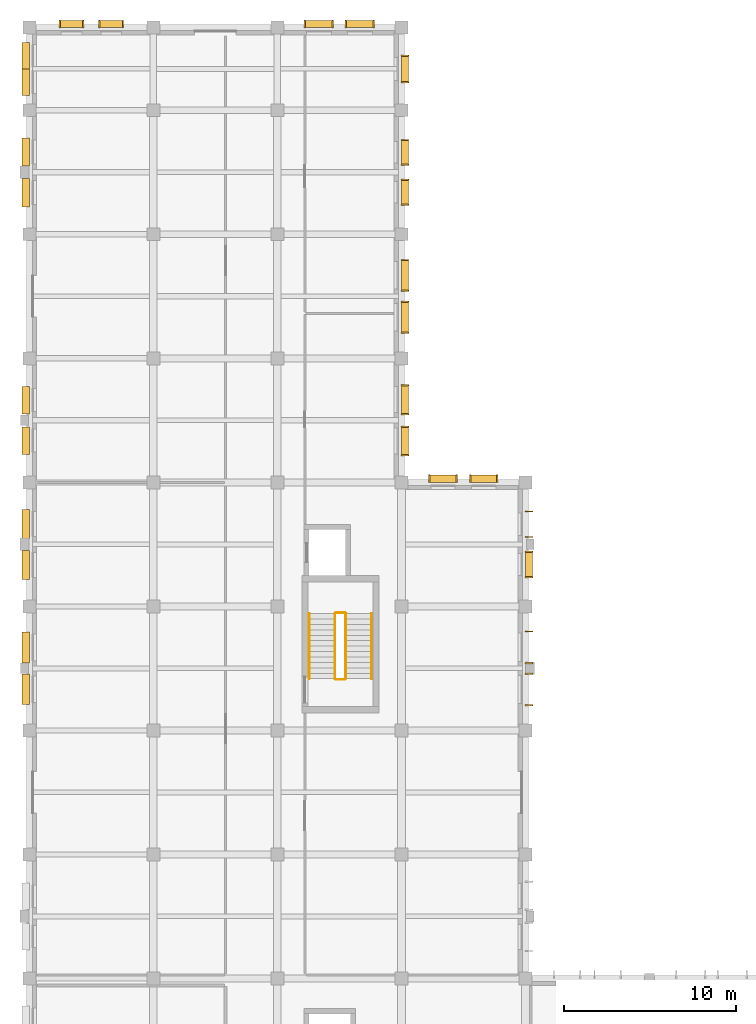
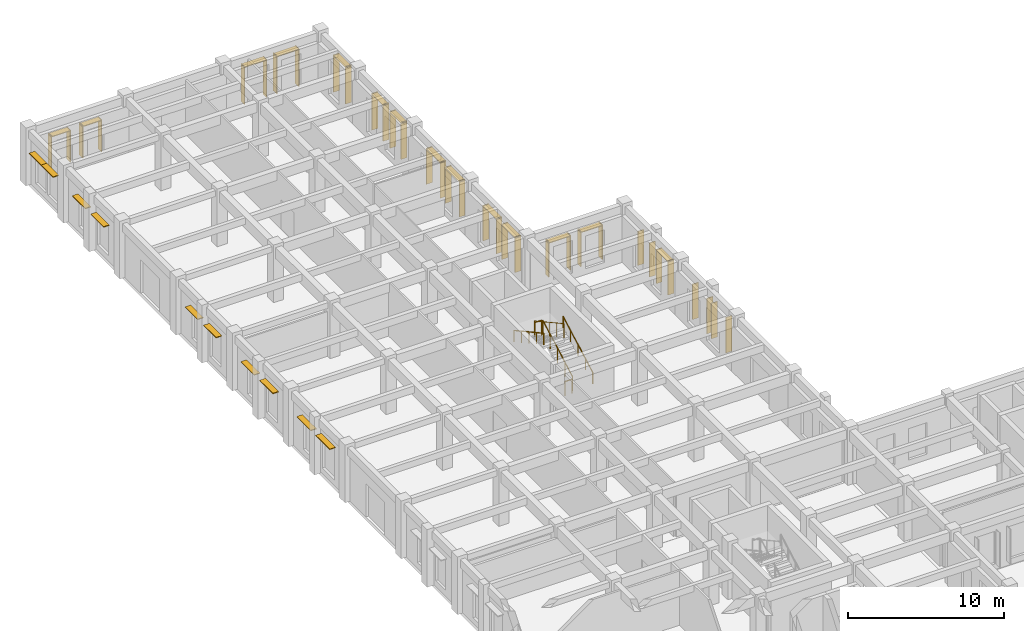
# One storey, part 42 of 43: 34 coverings, 24 shading devices, 6 railings.
"""IFC4 building model written with IfcOpenShell, lengths in metres."""

from ifc_helpers import new_model, si_unit, direction, frame, origin, origin_2d, place, context, subcontext, project, spatial, polyline, rectangle, circle, outline, extrude, material, layer, layer_set, type_object, element, save


model = new_model("IFC4")

# Units and contexts
model_context = context("Model", 3, precision=1e-05, world=origin(), true_north=direction((0.0, 1.0)))
body_context = subcontext(model_context, "Body", "Model", "MODEL_VIEW")
ifc_project = project(units=[si_unit("LENGTHUNIT", "METRE"), si_unit("AREAUNIT", "SQUARE_METRE"), si_unit("VOLUMEUNIT", "CUBIC_METRE"), si_unit("PLANEANGLEUNIT", "RADIAN"), si_unit("MASSUNIT", "GRAM", prefix="KILO")], contexts=[model_context])

# Site, building, storey
site_placement = place(None, origin())
site = spatial("IfcSite", under=ifc_project, at=site_placement, CompositionType="ELEMENT")
building_placement = place(site_placement, origin())
building = spatial("IfcBuilding", under=site, at=building_placement, Name="Alvorim Cloister Faculty of Sciences", CompositionType="ELEMENT")
storey_placement = place(building_placement, origin())
storey = spatial("IfcBuildingStorey", under=building, at=storey_placement, Name="L00", CompositionType="ELEMENT", Elevation=0.0)

# Coverings
ifc_material_1 = material(Name="Anodised Aluminium Alloy 6063-T6", Category="aluminium")
ifc_layer = layer(ifc_material_1, 0.054931640625)
ifc_layer_set = layer_set([ifc_layer], Name="Anodised Aluminium Alloy 6063-T6")
covering_type = type_object("IfcCoveringType", Name="COV-SHD-FIN", PredefinedType="CLADDING", material=ifc_layer_set)
for number, where, z_axis, x_axis, name in (
    (1, (1.760009765625, 111.60009765625, 0.389892578125), (0.0, 0.0, 1.0), (0.0, 1.0, 0.0), "L00 Brise-Soleil Vertical Fin COV-FIN-00021"),
    (2, (3.139892578125, 111.60009765625, 0.389892578125), (0.0, 0.0, 1.0), (0.0, 1.0, 0.0), "L00 Brise-Soleil Vertical Fin COV-FIN-00022"),
    (3, (4.06005859375, 111.60009765625, 0.389892578125), (0.0, 0.0, 1.0), (0.0, 1.0, 0.0), "L00 Brise-Soleil Vertical Fin COV-FIN-00023"),
    (4, (5.43994140625, 111.60009765625, 0.389892578125), (0.0, 0.0, 1.0), (0.0, 1.0, 0.0), "L00 Brise-Soleil Vertical Fin COV-FIN-00024"),
):
    element("IfcCovering", number, at=place(storey_placement, frame(where, z_axis=z_axis, x_axis=x_axis)), inside=storey, type_object=covering_type, Name=name, PredefinedType="CLADDING", context=body_context, shape_type="SweptSolid", body=[
        extrude(outline(polyline([(0.0, 0.0), (0.43994140625, 0.0), (0.43994140625, 2.510009765625), (0.0, 2.510009765625), (0.0, 0.0)])), frame((0.0, 0.02734375, 0.0), z_axis=(0.0, -1.0, 0.0), x_axis=(1.0, 0.0, 0.0)), (0.0, 0.0, 1.0), 0.054931640625),
    ])
for number, where, z_axis, x_axis, name in (
    (5, (15.993408203125, 111.60009765625, 0.389892578125), (0.0, 0.0, 1.0), (0.0, 1.0, 0.0), "L00 Brise-Soleil Vertical Fin COV-FIN-00025"),
    (6, (17.623291015625, 111.60009765625, 0.389892578125), (0.0, 0.0, 1.0), (0.0, 1.0, 0.0), "L00 Brise-Soleil Vertical Fin COV-FIN-00026"),
    (7, (18.376708984375, 111.60009765625, 0.389892578125), (0.0, 0.0, 1.0), (0.0, 1.0, 0.0), "L00 Brise-Soleil Vertical Fin COV-FIN-00027"),
    (8, (20.006591796875, 111.60009765625, 0.389892578125), (0.0, 0.0, 1.0), (0.0, 1.0, 0.0), "L00 Brise-Soleil Vertical Fin COV-FIN-00028"),
):
    element("IfcCovering", number, at=place(storey_placement, frame(where, z_axis=z_axis, x_axis=x_axis)), inside=storey, type_object=covering_type, Name=name, PredefinedType="CLADDING", context=body_context, shape_type="SweptSolid", body=[
        extrude(outline(polyline([(0.0, 0.0), (0.43994140625, 0.0), (0.43994140625, 2.960205078125), (0.0, 2.960205078125), (0.0, 0.0)])), frame((0.0, 0.02734375, 0.0), z_axis=(0.0, -1.0, 0.0), x_axis=(1.0, 0.0, 0.0)), (0.0, 0.0, 1.0), 0.054931640625),
    ])
for number, where, z_axis, x_axis, name in (
    (9, (21.60009765625, 108.43505859375, 0.389892578125), (0.0, 0.0, 1.0), (1.0, 0.0, 0.0), "L00 Brise-Soleil Vertical Fin COV-FIN-00029"),
    (10, (21.60009765625, 109.965087890625, 0.389892578125), (0.0, 0.0, 1.0), (1.0, 0.0, 0.0), "L00 Brise-Soleil Vertical Fin COV-FIN-00030"),
):
    element("IfcCovering", number, at=place(storey_placement, frame(where, z_axis=z_axis, x_axis=x_axis)), inside=storey, type_object=covering_type, Name=name, PredefinedType="CLADDING", context=body_context, shape_type="SweptSolid", body=[
        extrude(outline(polyline([(0.0, 0.0), (0.43994140625, 0.0), (0.43994140625, 2.91015625), (0.0, 2.91015625), (0.0, 0.0)])), frame((0.0, 0.02734375, 0.0), z_axis=(0.0, -1.0, 0.0), x_axis=(1.0, 0.0, 0.0)), (0.0, 0.0, 1.0), 0.054931640625),
    ])
for number, where, z_axis, x_axis, name in (
    (11, (21.60009765625, 101.32666015625, 0.389892578125), (0.0, 0.0, 1.0), (1.0, 0.0, 0.0), "L00 Brise-Soleil Vertical Fin COV-FIN-00031"),
    (12, (21.60009765625, 102.756591796875, 0.389892578125), (0.0, 0.0, 1.0), (1.0, 0.0, 0.0), "L00 Brise-Soleil Vertical Fin COV-FIN-00032"),
    (13, (21.60009765625, 103.643310546875, 0.389892578125), (0.0, 0.0, 1.0), (1.0, 0.0, 0.0), "L00 Brise-Soleil Vertical Fin COV-FIN-00033"),
    (14, (21.60009765625, 105.0732421875, 0.389892578125), (0.0, 0.0, 1.0), (1.0, 0.0, 0.0), "L00 Brise-Soleil Vertical Fin COV-FIN-00034"),
):
    element("IfcCovering", number, at=place(storey_placement, frame(where, z_axis=z_axis, x_axis=x_axis)), inside=storey, type_object=covering_type, Name=name, PredefinedType="CLADDING", context=body_context, shape_type="SweptSolid", body=[
        extrude(outline(polyline([(0.0, 0.0), (0.43994140625, 0.0), (0.43994140625, 2.860107421875), (0.0, 2.860107421875), (0.0, 0.0)])), frame((0.0, 0.02734375, 0.0), z_axis=(0.0, -1.0, 0.0), x_axis=(1.0, 0.0, 0.0)), (0.0, 0.0, 1.0), 0.054931640625),
    ])
for number, where, z_axis, x_axis, name in (
    (15, (21.60009765625, 93.893310546875, 0.389892578125), (0.0, 0.0, 1.0), (1.0, 0.0, 0.0), "L00 Brise-Soleil Vertical Fin COV-FIN-00035"),
    (16, (21.60009765625, 95.67333984375, 0.389892578125), (0.0, 0.0, 1.0), (1.0, 0.0, 0.0), "L00 Brise-Soleil Vertical Fin COV-FIN-00036"),
    (17, (21.60009765625, 96.32666015625, 0.389892578125), (0.0, 0.0, 1.0), (1.0, 0.0, 0.0), "L00 Brise-Soleil Vertical Fin COV-FIN-00037"),
    (18, (21.60009765625, 98.106689453125, 0.389892578125), (0.0, 0.0, 1.0), (1.0, 0.0, 0.0), "L00 Brise-Soleil Vertical Fin COV-FIN-00038"),
):
    element("IfcCovering", number, at=place(storey_placement, frame(where, z_axis=z_axis, x_axis=x_axis)), inside=storey, type_object=covering_type, Name=name, PredefinedType="CLADDING", context=body_context, shape_type="SweptSolid", body=[
        extrude(outline(polyline([(0.0, 0.0), (0.43994140625, 0.0), (0.43994140625, 2.81005859375), (0.0, 2.81005859375), (0.0, 0.0)])), frame((0.0, 0.02734375, 0.0), z_axis=(0.0, -1.0, 0.0), x_axis=(1.0, 0.0, 0.0)), (0.0, 0.0, 1.0), 0.054931640625),
    ])
for number, where, z_axis, x_axis, name in (
    (19, (21.60009765625, 86.760009765625, 0.389892578125), (0.0, 0.0, 1.0), (1.0, 0.0, 0.0), "L00 Brise-Soleil Vertical Fin COV-FIN-00039"),
    (20, (21.60009765625, 88.43994140625, 0.389892578125), (0.0, 0.0, 1.0), (1.0, 0.0, 0.0), "L00 Brise-Soleil Vertical Fin COV-FIN-00040"),
    (21, (21.60009765625, 89.159912109375, 0.389892578125), (0.0, 0.0, 1.0), (1.0, 0.0, 0.0), "L00 Brise-Soleil Vertical Fin COV-FIN-00041"),
    (22, (21.60009765625, 90.840087890625, 0.389892578125), (0.0, 0.0, 1.0), (1.0, 0.0, 0.0), "L00 Brise-Soleil Vertical Fin COV-FIN-00042"),
):
    element("IfcCovering", number, at=place(storey_placement, frame(where, z_axis=z_axis, x_axis=x_axis)), inside=storey, type_object=covering_type, Name=name, PredefinedType="CLADDING", context=body_context, shape_type="SweptSolid", body=[
        extrude(outline(polyline([(0.0, 0.0), (0.43994140625, 0.0), (0.43994140625, 2.760009765625), (0.0, 2.760009765625), (0.0, 0.0)])), frame((0.0, 0.02734375, 0.0), z_axis=(0.0, -1.0, 0.0), x_axis=(1.0, 0.0, 0.0)), (0.0, 0.0, 1.0), 0.054931640625),
    ])
for number, where, z_axis, x_axis, name in (
    (23, (23.226806640625, 85.199951171875, 0.389892578125), (0.0, 0.0, 1.0), (0.0, 1.0, 0.0), "L00 Brise-Soleil Vertical Fin COV-FIN-00043"),
    (24, (24.806640625, 85.199951171875, 0.389892578125), (0.0, 0.0, 1.0), (0.0, 1.0, 0.0), "L00 Brise-Soleil Vertical Fin COV-FIN-00044"),
    (25, (25.59326171875, 85.199951171875, 0.389892578125), (0.0, 0.0, 1.0), (0.0, 1.0, 0.0), "L00 Brise-Soleil Vertical Fin COV-FIN-00045"),
    (26, (27.17333984375, 85.199951171875, 0.389892578125), (0.0, 0.0, 1.0), (0.0, 1.0, 0.0), "L00 Brise-Soleil Vertical Fin COV-FIN-00046"),
):
    element("IfcCovering", number, at=place(storey_placement, frame(where, z_axis=z_axis, x_axis=x_axis)), inside=storey, type_object=covering_type, Name=name, PredefinedType="CLADDING", context=body_context, shape_type="SweptSolid", body=[
        extrude(outline(polyline([(0.0, 0.0), (0.43994140625, 0.0), (0.43994140625, 2.710205078125), (0.0, 2.710205078125), (0.0, 0.0)])), frame((0.0, 0.02734375, 0.0), z_axis=(0.0, -1.0, 0.0), x_axis=(1.0, 0.0, 0.0)), (0.0, 0.0, 1.0), 0.054931640625),
    ])
for number, where, z_axis, x_axis, name in (
    (27, (28.800048828125, 79.693359375, 0.389892578125), (0.0, 0.0, 1.0), (1.0, 0.0, 0.0), "L00 Brise-Soleil Vertical Fin COV-FIN-00047"),
    (28, (28.800048828125, 81.17333984375, 0.389892578125), (0.0, 0.0, 1.0), (1.0, 0.0, 0.0), "L00 Brise-Soleil Vertical Fin COV-FIN-00048"),
    (29, (28.800048828125, 82.026611328125, 0.389892578125), (0.0, 0.0, 1.0), (1.0, 0.0, 0.0), "L00 Brise-Soleil Vertical Fin COV-FIN-00049"),
    (30, (28.800048828125, 83.506591796875, 0.389892578125), (0.0, 0.0, 1.0), (1.0, 0.0, 0.0), "L00 Brise-Soleil Vertical Fin COV-FIN-00050"),
):
    element("IfcCovering", number, at=place(storey_placement, frame(where, z_axis=z_axis, x_axis=x_axis)), inside=storey, type_object=covering_type, Name=name, PredefinedType="CLADDING", context=body_context, shape_type="SweptSolid", body=[
        extrude(outline(polyline([(0.0, 0.0), (0.43994140625, 0.0), (0.43994140625, 2.66015625), (0.0, 2.66015625), (0.0, 0.0)])), frame((0.0, 0.02734375, 0.0), z_axis=(0.0, -1.0, 0.0), x_axis=(1.0, 0.0, 0.0)), (0.0, 0.0, 1.0), 0.054931640625),
    ])
for number, where, z_axis, x_axis, name in (
    (31, (28.800048828125, 72.260009765625, 0.389892578125), (0.0, 0.0, 1.0), (1.0, 0.0, 0.0), "L00 Brise-Soleil Vertical Fin COV-FIN-00051"),
    (32, (28.800048828125, 74.090087890625, 0.389892578125), (0.0, 0.0, 1.0), (1.0, 0.0, 0.0), "L00 Brise-Soleil Vertical Fin COV-FIN-00052"),
    (33, (28.800048828125, 74.7099609375, 0.389892578125), (0.0, 0.0, 1.0), (1.0, 0.0, 0.0), "L00 Brise-Soleil Vertical Fin COV-FIN-00053"),
    (34, (28.800048828125, 76.5400390625, 0.389892578125), (0.0, 0.0, 1.0), (1.0, 0.0, 0.0), "L00 Brise-Soleil Vertical Fin COV-FIN-00054"),
):
    element("IfcCovering", number, at=place(storey_placement, frame(where, z_axis=z_axis, x_axis=x_axis)), inside=storey, type_object=covering_type, Name=name, PredefinedType="CLADDING", context=body_context, shape_type="SweptSolid", body=[
        extrude(outline(polyline([(0.0, 0.0), (0.43994140625, 0.0), (0.43994140625, 2.760009765625), (0.0, 2.760009765625), (0.0, 0.0)])), frame((0.0, 0.02734375, 0.0), z_axis=(0.0, -1.0, 0.0), x_axis=(1.0, 0.0, 0.0)), (0.0, 0.0, 1.0), 0.054931640625),
    ])

# Railings
ifc_material_2 = material(Name="Galvanised Painted Steel", Category="steel")
railing_type_1 = type_object("IfcRailingType", Name="RL-STR-GUARD", PredefinedType="GUARDRAIL", material=ifc_material_2)
railing_1_placement = place(storey_placement, frame((18.3701171875, 73.800048828125, 0.173095703125)))
element("IfcRailing", 35, at=railing_1_placement, inside=storey, type_object=railing_type_1, Name="L00 ST-05 stair guard 1", PredefinedType="GUARDRAIL", context=body_context, shape_type="SweptSolid", body=[
    extrude(circle(Radius=0.02392578125, at=origin_2d()), frame((0.0, 0.0, 1.09619140625), z_axis=(0.0, 0.876422584698, 0.481542784217), x_axis=(-1.0, 0.0, 0.0)), (0.0, 0.0, 1.0), 4.31298828125),
    extrude(circle(Radius=0.02099609375, at=origin_2d()), origin(), (0.0, 0.0, 1.0), 1.072021484375),
    extrude(circle(Radius=0.02099609375, at=origin_2d()), frame((0.0, 0.945068359375, 0.519287109375)), (0.0, 0.0, 1.0), 1.072021484375),
    extrude(circle(Radius=0.02099609375, at=origin_2d()), frame((0.0, 1.89013671875, 1.03857421875)), (0.0, 0.0, 1.0), 1.072021484375),
    extrude(circle(Radius=0.02099609375, at=origin_2d()), frame((0.0, 2.8349609375, 1.5576171875)), (0.0, 0.0, 1.0), 1.072021484375),
    extrude(circle(Radius=0.02099609375, at=origin_2d()), frame((0.0, 3.780029296875, 2.076904296875)), (0.0, 0.0, 1.0), 1.072021484375),
])
railing_2_placement = place(storey_placement, frame((18.320068359375, 77.6298828125, 2.25)))
element("IfcRailing", 36, at=railing_2_placement, inside=storey, type_object=railing_type_1, Name="L00 ST-05 stair guard 2", PredefinedType="GUARDRAIL", context=body_context, shape_type="SweptSolid", body=[
    extrude(circle(Radius=0.02392578125, at=origin_2d()), frame((0.0, 0.0, 1.09619140625), z_axis=(-1.0, 0.0, 0.0), x_axis=(0.0, -1.0, 0.0)), (0.0, 0.0, 1.0), 0.52001953125),
    extrude(circle(Radius=0.02099609375, at=origin_2d()), origin(), (0.0, 0.0, 1.0), 1.072021484375),
    extrude(circle(Radius=0.02099609375, at=origin_2d()), frame((-0.52001953125, 0.0, 0.0)), (0.0, 0.0, 1.0), 1.072021484375),
])
railing_3_placement = place(storey_placement, frame((17.75, 77.580078125, 2.423095703125)))
element("IfcRailing", 37, at=railing_3_placement, inside=storey, type_object=railing_type_1, Name="L00 ST-05 stair guard 3", PredefinedType="GUARDRAIL", context=body_context, shape_type="SweptSolid", body=[
    extrude(circle(Radius=0.02392578125, at=origin_2d()), frame((0.0, 0.0, 1.09619140625), z_axis=(0.0, -0.876422584698, 0.481542784217), x_axis=(1.0, 0.0, 0.0)), (0.0, 0.0, 1.0), 4.31298828125),
    extrude(circle(Radius=0.02099609375, at=origin_2d()), origin(), (0.0, 0.0, 1.0), 1.072021484375),
    extrude(circle(Radius=0.02099609375, at=origin_2d()), frame((0.0, -0.945068359375, 0.519287109375)), (0.0, 0.0, 1.0), 1.072021484375),
    extrude(circle(Radius=0.02099609375, at=origin_2d()), frame((0.0, -1.89013671875, 1.03857421875)), (0.0, 0.0, 1.0), 1.072021484375),
    extrude(circle(Radius=0.02099609375, at=origin_2d()), frame((0.0, -2.8349609375, 1.5576171875)), (0.0, 0.0, 1.0), 1.072021484375),
    extrude(circle(Radius=0.02099609375, at=origin_2d()), frame((0.0, -3.780029296875, 2.076904296875)), (0.0, 0.0, 1.0), 1.072021484375),
])
railing_4_placement = place(storey_placement, frame((18.320068359375, 73.75, 0.0)))
element("IfcRailing", 38, at=railing_4_placement, inside=storey, type_object=railing_type_1, Name="L00 ST-05 stair guard 4", PredefinedType="GUARDRAIL", context=body_context, shape_type="SweptSolid", body=[
    extrude(circle(Radius=0.02392578125, at=origin_2d()), frame((0.0, 0.0, 1.09619140625), z_axis=(-1.0, 0.0, 0.0), x_axis=(0.0, -1.0, 0.0)), (0.0, 0.0, 1.0), 0.52001953125),
    extrude(circle(Radius=0.02099609375, at=origin_2d()), origin(), (0.0, 0.0, 1.0), 1.072021484375),
    extrude(circle(Radius=0.02099609375, at=origin_2d()), frame((-0.52001953125, 0.0, 0.0)), (0.0, 0.0, 1.0), 1.072021484375),
])
ifc_material_3 = material(Name="Brushed Stainless Steel", Category="steel")
railing_type_2 = type_object("IfcRailingType", Name="RL-STR-HAND", PredefinedType="HANDRAIL", material=ifc_material_3)
railing_5_placement = place(storey_placement, frame((19.8701171875, 73.800048828125, 0.173095703125)))
element("IfcRailing", 39, at=railing_5_placement, inside=storey, type_object=railing_type_2, Name="L00 ST-05 stair handrail 1", PredefinedType="HANDRAIL", context=body_context, shape_type="SweptSolid", body=[
    extrude(circle(Radius=0.02392578125, at=origin_2d()), frame((0.0, 0.0, 0.8759765625), z_axis=(0.0, 0.876422584698, 0.481542784217), x_axis=(-1.0, 0.0, 0.0)), (0.0, 0.0, 1.0), 4.31298828125),
    extrude(circle(Radius=0.02099609375, at=origin_2d()), origin(), (0.0, 0.0, 1.0), 0.851806640625),
    extrude(circle(Radius=0.02099609375, at=origin_2d()), frame((0.0, 0.945068359375, 0.519287109375)), (0.0, 0.0, 1.0), 0.851806640625),
    extrude(circle(Radius=0.02099609375, at=origin_2d()), frame((0.0, 1.89013671875, 1.03857421875)), (0.0, 0.0, 1.0), 0.851806640625),
    extrude(circle(Radius=0.02099609375, at=origin_2d()), frame((0.0, 2.8349609375, 1.5576171875)), (0.0, 0.0, 1.0), 0.851806640625),
    extrude(circle(Radius=0.02099609375, at=origin_2d()), frame((0.0, 3.780029296875, 2.076904296875)), (0.0, 0.0, 1.0), 0.851806640625),
])
railing_6_placement = place(storey_placement, frame((16.25, 77.580078125, 2.423095703125)))
element("IfcRailing", 40, at=railing_6_placement, inside=storey, type_object=railing_type_2, Name="L00 ST-05 stair handrail 2", PredefinedType="HANDRAIL", context=body_context, shape_type="SweptSolid", body=[
    extrude(circle(Radius=0.02392578125, at=origin_2d()), frame((0.0, 0.0, 0.8759765625), z_axis=(0.0, -0.876422584698, 0.481542784217), x_axis=(1.0, 0.0, 0.0)), (0.0, 0.0, 1.0), 4.31298828125),
    extrude(circle(Radius=0.02099609375, at=origin_2d()), origin(), (0.0, 0.0, 1.0), 0.851806640625),
    extrude(circle(Radius=0.02099609375, at=origin_2d()), frame((0.0, -0.945068359375, 0.519287109375)), (0.0, 0.0, 1.0), 0.851806640625),
    extrude(circle(Radius=0.02099609375, at=origin_2d()), frame((0.0, -1.89013671875, 1.03857421875)), (0.0, 0.0, 1.0), 0.851806640625),
    extrude(circle(Radius=0.02099609375, at=origin_2d()), frame((0.0, -2.8349609375, 1.5576171875)), (0.0, 0.0, 1.0), 0.851806640625),
    extrude(circle(Radius=0.02099609375, at=origin_2d()), frame((0.0, -3.780029296875, 2.076904296875)), (0.0, 0.0, 1.0), 0.851806640625),
])

# Shading devices
ifc_material_4 = material(Name="Perforated Bronze Alloy Sheet", Category="metal")
shading_device_type = type_object("IfcShadingDeviceType", Name="SHD-BRZ-FIN", PredefinedType="JALOUSIE", material=ifc_material_4)
for number, where, z_axis, x_axis, name in (
    (41, (-0.2099609375, 73.191650390625, 3.02001953125), (0.0, 0.0, 1.0), (1.0, 0.0, 0.0), "L00 Brise-Soleil Sun Hood SHD-0025"),
    (42, (-0.2099609375, 75.6083984375, 3.02001953125), (0.0, 0.0, 1.0), (1.0, 0.0, 0.0), "L00 Brise-Soleil Sun Hood SHD-0026"),
):
    element("IfcShadingDevice", number, at=place(storey_placement, frame(where, z_axis=z_axis, x_axis=x_axis)), inside=storey, type_object=shading_device_type, Name=name, PredefinedType="JALOUSIE", context=body_context, shape_type="SweptSolid", body=[
        extrude(rectangle(XDim=0.419921875, YDim=1.7900390625, at=origin_2d()), origin(), (0.0, 0.0, 1.0), 0.06005859375),
    ])
for number, where, z_axis, x_axis, name in (
    (43, (-0.2099609375, 80.408203125, 2.969970703125), (0.0, 0.0, 1.0), (1.0, 0.0, 0.0), "L00 Brise-Soleil Sun Hood SHD-0027"),
    (44, (-0.2099609375, 82.791748046875, 2.969970703125), (0.0, 0.0, 1.0), (1.0, 0.0, 0.0), "L00 Brise-Soleil Sun Hood SHD-0028"),
):
    element("IfcShadingDevice", number, at=place(storey_placement, frame(where, z_axis=z_axis, x_axis=x_axis)), inside=storey, type_object=shading_device_type, Name=name, PredefinedType="JALOUSIE", context=body_context, shape_type="SweptSolid", body=[
        extrude(rectangle(XDim=0.419921875, YDim=1.68994140625, at=origin_2d()), origin(), (0.0, 0.0, 1.0), 0.06005859375),
    ])
for number, where, z_axis, x_axis, name in (
    (45, (-0.2099609375, 87.625, 2.919921875), (0.0, 0.0, 1.0), (1.0, 0.0, 0.0), "L00 Brise-Soleil Sun Hood SHD-0029"),
    (46, (-0.2099609375, 89.97509765625, 2.919921875), (0.0, 0.0, 1.0), (1.0, 0.0, 0.0), "L00 Brise-Soleil Sun Hood SHD-0030"),
):
    element("IfcShadingDevice", number, at=place(storey_placement, frame(where, z_axis=z_axis, x_axis=x_axis)), inside=storey, type_object=shading_device_type, Name=name, PredefinedType="JALOUSIE", context=body_context, shape_type="SweptSolid", body=[
        extrude(rectangle(XDim=0.419921875, YDim=1.590087890625, at=origin_2d()), origin(), (0.0, 0.0, 1.0), 0.06005859375),
    ])
for number, where, z_axis, x_axis, name in (
    (47, (-0.2099609375, 102.0166015625, 2.849853515625), (0.0, 0.0, 1.0), (1.0, 0.0, 0.0), "L00 Brise-Soleil Sun Hood SHD-0031"),
    (48, (-0.2099609375, 104.38330078125, 2.849853515625), (0.0, 0.0, 1.0), (1.0, 0.0, 0.0), "L00 Brise-Soleil Sun Hood SHD-0032"),
):
    element("IfcShadingDevice", number, at=place(storey_placement, frame(where, z_axis=z_axis, x_axis=x_axis)), inside=storey, type_object=shading_device_type, Name=name, PredefinedType="JALOUSIE", context=body_context, shape_type="SweptSolid", body=[
        extrude(rectangle(XDim=0.419921875, YDim=1.639892578125, at=origin_2d()), origin(), (0.0, 0.0, 1.0), 0.06005859375),
    ])
for number, where, z_axis, x_axis, name in (
    (49, (-0.2099609375, 108.433349609375, 2.820068359375), (0.0, 0.0, 1.0), (1.0, 0.0, 0.0), "L00 Brise-Soleil Sun Hood SHD-0033"),
    (50, (-0.2099609375, 109.966796875, 2.820068359375), (0.0, 0.0, 1.0), (1.0, 0.0, 0.0), "L00 Brise-Soleil Sun Hood SHD-0034"),
):
    element("IfcShadingDevice", number, at=place(storey_placement, frame(where, z_axis=z_axis, x_axis=x_axis)), inside=storey, type_object=shading_device_type, Name=name, PredefinedType="JALOUSIE", context=body_context, shape_type="SweptSolid", body=[
        extrude(rectangle(XDim=0.419921875, YDim=1.5400390625, at=origin_2d()), origin(), (0.0, 0.0, 1.0), 0.06005859375),
    ])
for number, where, z_axis, x_axis, name in (
    (51, (2.449951171875, 111.81005859375, 2.820068359375), (0.0, 0.0, 1.0), (1.0, 0.0, 0.0), "L00 Brise-Soleil Sun Hood SHD-0035"),
    (52, (4.75, 111.81005859375, 2.820068359375), (0.0, 0.0, 1.0), (1.0, 0.0, 0.0), "L00 Brise-Soleil Sun Hood SHD-0036"),
):
    element("IfcShadingDevice", number, at=place(storey_placement, frame(where, z_axis=z_axis, x_axis=x_axis)), inside=storey, type_object=shading_device_type, Name=name, PredefinedType="JALOUSIE", context=body_context, shape_type="SweptSolid", body=[
        extrude(rectangle(XDim=1.43994140625, YDim=0.419921875, at=origin_2d()), origin(), (0.0, 0.0, 1.0), 0.06005859375),
    ])
for number, where, z_axis, x_axis, name in (
    (53, (16.808349609375, 111.81005859375, 3.27001953125), (0.0, 0.0, 1.0), (1.0, 0.0, 0.0), "L00 Brise-Soleil Sun Hood SHD-0037"),
    (54, (19.191650390625, 111.81005859375, 3.27001953125), (0.0, 0.0, 1.0), (1.0, 0.0, 0.0), "L00 Brise-Soleil Sun Hood SHD-0038"),
):
    element("IfcShadingDevice", number, at=place(storey_placement, frame(where, z_axis=z_axis, x_axis=x_axis)), inside=storey, type_object=shading_device_type, Name=name, PredefinedType="JALOUSIE", context=body_context, shape_type="SweptSolid", body=[
        extrude(rectangle(XDim=1.68994140625, YDim=0.419921875, at=origin_2d()), origin(), (0.0, 0.0, 1.0), 0.06005859375),
    ])
shading_device_1_placement = place(storey_placement, frame((21.81005859375, 109.199951171875, 3.219970703125), z_axis=(0.0, 0.0, 1.0), x_axis=(1.0, 0.0, 0.0)))
element("IfcShadingDevice", 55, at=shading_device_1_placement, inside=storey, type_object=shading_device_type, Name="L00 Brise-Soleil Sun Hood SHD-0039", PredefinedType="JALOUSIE", context=body_context, shape_type="SweptSolid", body=[
    extrude(rectangle(XDim=0.419921875, YDim=1.590087890625, at=origin_2d()), origin(), (0.0, 0.0, 1.0), 0.06005859375),
])
for number, where, z_axis, x_axis, name in (
    (56, (21.81005859375, 102.041748046875, 3.169921875), (0.0, 0.0, 1.0), (1.0, 0.0, 0.0), "L00 Brise-Soleil Sun Hood SHD-0040"),
    (57, (21.81005859375, 104.3583984375, 3.169921875), (0.0, 0.0, 1.0), (1.0, 0.0, 0.0), "L00 Brise-Soleil Sun Hood SHD-0041"),
):
    element("IfcShadingDevice", number, at=place(storey_placement, frame(where, z_axis=z_axis, x_axis=x_axis)), inside=storey, type_object=shading_device_type, Name=name, PredefinedType="JALOUSIE", context=body_context, shape_type="SweptSolid", body=[
        extrude(rectangle(XDim=0.419921875, YDim=1.489990234375, at=origin_2d()), origin(), (0.0, 0.0, 1.0), 0.06005859375),
    ])
for number, where, z_axis, x_axis, name in (
    (58, (21.81005859375, 94.783203125, 3.119873046875), (0.0, 0.0, 1.0), (1.0, 0.0, 0.0), "L00 Brise-Soleil Sun Hood SHD-0042"),
    (59, (21.81005859375, 97.216796875, 3.119873046875), (0.0, 0.0, 1.0), (1.0, 0.0, 0.0), "L00 Brise-Soleil Sun Hood SHD-0043"),
):
    element("IfcShadingDevice", number, at=place(storey_placement, frame(where, z_axis=z_axis, x_axis=x_axis)), inside=storey, type_object=shading_device_type, Name=name, PredefinedType="JALOUSIE", context=body_context, shape_type="SweptSolid", body=[
        extrude(rectangle(XDim=0.419921875, YDim=1.840087890625, at=origin_2d()), origin(), (0.0, 0.0, 1.0), 0.06005859375),
    ])
for number, where, z_axis, x_axis, name in (
    (60, (21.81005859375, 87.60009765625, 3.070068359375), (0.0, 0.0, 1.0), (1.0, 0.0, 0.0), "L00 Brise-Soleil Sun Hood SHD-0044"),
    (61, (21.81005859375, 90.0, 3.070068359375), (0.0, 0.0, 1.0), (1.0, 0.0, 0.0), "L00 Brise-Soleil Sun Hood SHD-0045"),
):
    element("IfcShadingDevice", number, at=place(storey_placement, frame(where, z_axis=z_axis, x_axis=x_axis)), inside=storey, type_object=shading_device_type, Name=name, PredefinedType="JALOUSIE", context=body_context, shape_type="SweptSolid", body=[
        extrude(rectangle(XDim=0.419921875, YDim=1.739990234375, at=origin_2d()), origin(), (0.0, 0.0, 1.0), 0.06005859375),
    ])
for number, where, z_axis, x_axis, name in (
    (62, (24.0166015625, 85.409912109375, 3.02001953125), (0.0, 0.0, 1.0), (1.0, 0.0, 0.0), "L00 Brise-Soleil Sun Hood SHD-0046"),
    (63, (26.38330078125, 85.409912109375, 3.02001953125), (0.0, 0.0, 1.0), (1.0, 0.0, 0.0), "L00 Brise-Soleil Sun Hood SHD-0047"),
):
    element("IfcShadingDevice", number, at=place(storey_placement, frame(where, z_axis=z_axis, x_axis=x_axis)), inside=storey, type_object=shading_device_type, Name=name, PredefinedType="JALOUSIE", context=body_context, shape_type="SweptSolid", body=[
        extrude(rectangle(XDim=1.639892578125, YDim=0.419921875, at=origin_2d()), origin(), (0.0, 0.0, 1.0), 0.06005859375),
    ])
shading_device_2_placement = place(storey_placement, frame((29.010009765625, 80.433349609375, 2.969970703125), z_axis=(0.0, 0.0, 1.0), x_axis=(1.0, 0.0, 0.0)))
element("IfcShadingDevice", 64, at=shading_device_2_placement, inside=storey, type_object=shading_device_type, Name="L00 Brise-Soleil Sun Hood SHD-0048", PredefinedType="JALOUSIE", context=body_context, shape_type="SweptSolid", body=[
    extrude(rectangle(XDim=0.419921875, YDim=1.5400390625, at=origin_2d()), origin(), (0.0, 0.0, 1.0), 0.06005859375),
])

save(model, "model.ifc")
